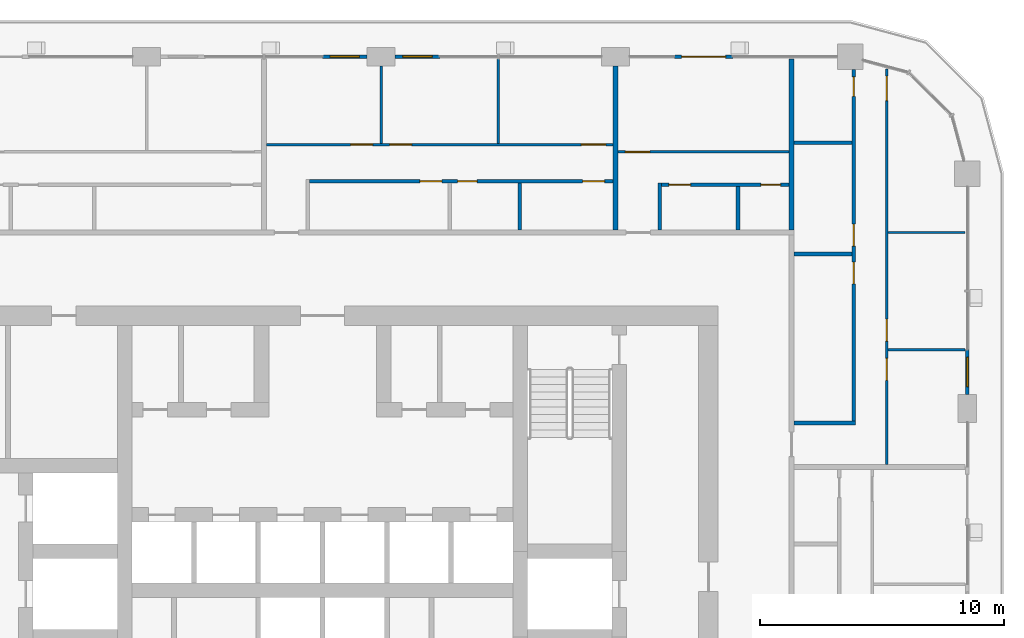
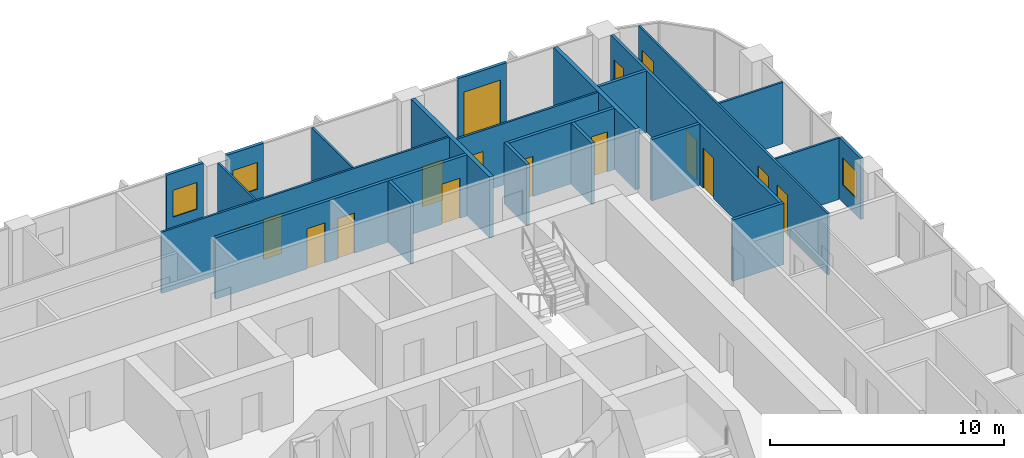
# One storey, part 15 of 22: 22 walls, 16 doors, 3 windows, 19 openings.
"""IFC4 building model written with IfcOpenShell, lengths in metres."""

from ifc_helpers import new_model, si_unit, direction, frame, frame_2d, origin, place, context, subcontext, project, spatial, rectangle, extrude, material, layer, layer_set, type_object, element, fill, save


model = new_model("IFC4")

# Units and contexts
model_context = context("Model", 3, precision=1e-05, world=origin(), true_north=direction((0.0, 1.0)))
body_context = subcontext(model_context, "Body", "Model", "MODEL_VIEW")
ifc_project = project(units=[si_unit("LENGTHUNIT", "METRE"), si_unit("AREAUNIT", "SQUARE_METRE"), si_unit("VOLUMEUNIT", "CUBIC_METRE"), si_unit("PLANEANGLEUNIT", "RADIAN"), si_unit("MASSUNIT", "GRAM", prefix="KILO")], contexts=[model_context])

# Site, building, storey
site_placement = place(None, origin())
site = spatial("IfcSite", under=ifc_project, at=site_placement, CompositionType="ELEMENT")
building_placement = place(site_placement, origin())
building = spatial("IfcBuilding", under=site, at=building_placement, Name="Madar Terraces", CompositionType="ELEMENT")
storey_placement = place(building_placement, frame((0.0, 0.0, 166.5)))
storey = spatial("IfcBuildingStorey", under=building, at=storey_placement, Name="L43", CompositionType="ELEMENT", Elevation=166.5)

# Wall, opening, window
ifc_material_1 = material(Name="Aluminium composite panel, black, over insulated backing", Category="aluminium")
ifc_layer_1 = layer(ifc_material_1, 0.14990234375)
ifc_layer_set_1 = layer_set([ifc_layer_1], Name="Facade bay panel 150")
wall_type_1 = type_object("IfcWallType", Name="Facade bay panel 150", PredefinedType="SOLIDWALL", material=ifc_layer_set_1)
wall_1_placement = place(storey_placement, frame((57.60009765625, 34.175048828125, 0.0), z_axis=(0.0, 0.0, 1.0), x_axis=(0.0, 1.0, 0.0)))
wall_1 = element("IfcWall", 1, at=wall_1_placement, inside=storey, type_object=wall_type_1, Name="Facade bay panel", PredefinedType="SOLIDWALL", context=body_context, shape_type="SweptSolid", body=[
    extrude(rectangle(XDim=1.824951171875, YDim=0.14990234375, at=frame_2d((0.91259765625, 0.0))), origin(), (0.0, 0.0, 1.0), 3.199951171875),
])
opening_1_placement = place(wall_1_placement, frame((0.3125, 0.0, 0.89990234375)))
opening_1 = element("IfcOpeningElement", 2, at=opening_1_placement, cuts=wall_1, Name="Opening W1", PredefinedType="OPENING", context=body_context, shape_type="SweptSolid", body=[
    extrude(rectangle(XDim=1.199951171875, YDim=1.39990234375, at=frame_2d((0.60009765625, 0.699951171875))), frame((0.0, 0.0849609375, 0.0), z_axis=(0.0, -1.0, 0.0), x_axis=(1.0, 0.0, 0.0)), (0.0, 0.0, 1.0), 0.169921875),
])
ifc_material_2 = material(Name="Glass, clear, with black aluminium frame", Category="aluminium")
window_type = type_object("IfcWindowType", Name="Vent window 1200 x 1400", PartitioningType="SINGLE_PANEL", PredefinedType="WINDOW", material=ifc_material_2)
window_1_placement = place(opening_1_placement, origin())
window_1 = element("IfcWindow", 3, at=window_1_placement, inside=storey, type_object=window_type, Name="Operable vent window", OverallHeight=1.39990234375, OverallWidth=1.199951171875, PartitioningType="SINGLE_PANEL", PredefinedType="WINDOW", context=body_context, shape_type="SweptSolid", body=[
    extrude(rectangle(XDim=1.199951171875, YDim=1.39990234375, at=frame_2d((0.60009765625, 0.699951171875))), frame((0.0, 0.030029296875, 0.0), z_axis=(0.0, -1.0, 0.0), x_axis=(1.0, 0.0, 0.0)), (0.0, 0.0, 1.0), 0.06005859375),
])
fill(opening_1, window_1)

# Wall, opening, door
wall_2_placement = place(storey_placement, frame((48.0, 48.0, 0.0), z_axis=(0.0, 0.0, 1.0), x_axis=(-1.0, 0.0, 0.0)))
wall_2 = element("IfcWall", 4, at=wall_2_placement, inside=storey, type_object=wall_type_1, Name="Facade bay panel", PredefinedType="SOLIDWALL", context=body_context, shape_type="SweptSolid", body=[
    extrude(rectangle(XDim=2.39990234375, YDim=0.14990234375, at=frame_2d((1.199951171875, 0.0))), origin(), (0.0, 0.0, 1.0), 3.199951171875),
])
opening_2_placement = place(wall_2_placement, frame((0.300048828125, 0.0, 0.0)))
opening_2 = element("IfcOpeningElement", 5, at=opening_2_placement, cuts=wall_2, Name="Opening ED1", PredefinedType="OPENING", context=body_context, shape_type="SweptSolid", body=[
    extrude(rectangle(XDim=1.800048828125, YDim=2.39990234375, at=frame_2d((0.89990234375, 1.199951171875))), frame((0.0, 0.0849609375, 0.0), z_axis=(0.0, -1.0, 0.0), x_axis=(1.0, 0.0, 0.0)), (0.0, 0.0, 1.0), 0.169921875),
])
ifc_material_3 = material(Name="Glass, clear, with black aluminium frame", Category="aluminium")
door_type_1 = type_object("IfcDoorType", Name="Balcony and terrace sliding door 1800 x 2400", OperationType="SLIDING_TO_LEFT", PredefinedType="DOOR", material=ifc_material_3)
door_1_placement = place(opening_2_placement, origin())
door_1 = element("IfcDoor", 6, at=door_1_placement, inside=storey, type_object=door_type_1, Name="Balcony door", OperationType="SLIDING_TO_LEFT", OverallHeight=2.39990234375, OverallWidth=1.800048828125, PredefinedType="DOOR", context=body_context, shape_type="SweptSolid", body=[
    extrude(rectangle(XDim=1.800048828125, YDim=2.39990234375, at=frame_2d((0.89990234375, 1.199951171875))), frame((0.0, 0.02490234375, 0.0), z_axis=(0.0, -1.0, 0.0), x_axis=(1.0, 0.0, 0.0)), (0.0, 0.0, 1.0), 0.050048828125),
])
fill(opening_2, door_1)

# Wall, opening, window
wall_3_placement = place(storey_placement, frame((36.0, 48.0, 0.0), z_axis=(0.0, 0.0, 1.0), x_axis=(-1.0, 0.0, 0.0)))
wall_3 = element("IfcWall", 7, at=wall_3_placement, inside=storey, type_object=wall_type_1, Name="Facade bay panel", PredefinedType="SOLIDWALL", context=body_context, shape_type="SweptSolid", body=[
    extrude(rectangle(XDim=1.824951171875, YDim=0.14990234375, at=frame_2d((0.91259765625, 0.0))), origin(), (0.0, 0.0, 1.0), 3.199951171875),
])
opening_3_placement = place(wall_3_placement, frame((0.3125, 0.0, 0.89990234375)))
opening_3 = element("IfcOpeningElement", 8, at=opening_3_placement, cuts=wall_3, Name="Opening W1", PredefinedType="OPENING", context=body_context, shape_type="SweptSolid", body=[
    extrude(rectangle(XDim=1.199951171875, YDim=1.39990234375, at=frame_2d((0.60009765625, 0.699951171875))), frame((0.0, 0.0849609375, 0.0), z_axis=(0.0, -1.0, 0.0), x_axis=(1.0, 0.0, 0.0)), (0.0, 0.0, 1.0), 0.169921875),
])
window_2_placement = place(opening_3_placement, origin())
window_2 = element("IfcWindow", 9, at=window_2_placement, inside=storey, type_object=window_type, Name="Operable vent window", OverallHeight=1.39990234375, OverallWidth=1.199951171875, PartitioningType="SINGLE_PANEL", PredefinedType="WINDOW", context=body_context, shape_type="SweptSolid", body=[
    extrude(rectangle(XDim=1.199951171875, YDim=1.39990234375, at=frame_2d((0.60009765625, 0.699951171875))), frame((0.0, 0.030029296875, 0.0), z_axis=(0.0, -1.0, 0.0), x_axis=(1.0, 0.0, 0.0)), (0.0, 0.0, 1.0), 0.06005859375),
])
fill(opening_3, window_2)

wall_4_placement = place(storey_placement, frame((33.02490234375, 48.0, 0.0), z_axis=(0.0, 0.0, 1.0), x_axis=(-1.0, 0.0, 0.0)))
wall_4 = element("IfcWall", 10, at=wall_4_placement, inside=storey, type_object=wall_type_1, Name="Facade bay panel", PredefinedType="SOLIDWALL", context=body_context, shape_type="SweptSolid", body=[
    extrude(rectangle(XDim=1.824951171875, YDim=0.14990234375, at=frame_2d((0.91259765625, 0.0))), origin(), (0.0, 0.0, 1.0), 3.199951171875),
])
opening_4_placement = place(wall_4_placement, frame((0.3125, 0.0, 0.89990234375)))
opening_4 = element("IfcOpeningElement", 11, at=opening_4_placement, cuts=wall_4, Name="Opening W1", PredefinedType="OPENING", context=body_context, shape_type="SweptSolid", body=[
    extrude(rectangle(XDim=1.199951171875, YDim=1.39990234375, at=frame_2d((0.60009765625, 0.699951171875))), frame((0.0, 0.0849609375, 0.0), z_axis=(0.0, -1.0, 0.0), x_axis=(1.0, 0.0, 0.0)), (0.0, 0.0, 1.0), 0.169921875),
])
window_3_placement = place(opening_4_placement, origin())
window_3 = element("IfcWindow", 12, at=window_3_placement, inside=storey, type_object=window_type, Name="Operable vent window", OverallHeight=1.39990234375, OverallWidth=1.199951171875, PartitioningType="SINGLE_PANEL", PredefinedType="WINDOW", context=body_context, shape_type="SweptSolid", body=[
    extrude(rectangle(XDim=1.199951171875, YDim=1.39990234375, at=frame_2d((0.60009765625, 0.699951171875))), frame((0.0, 0.030029296875, 0.0), z_axis=(0.0, -1.0, 0.0), x_axis=(1.0, 0.0, 0.0)), (0.0, 0.0, 1.0), 0.06005859375),
])
fill(opening_4, window_3)

# Walls
ifc_material_4 = material(Name="Gypsum board on steel studs", Category="steel")
ifc_layer_2 = layer(ifc_material_4, 0.10009765625)
ifc_layer_set_2 = layer_set([ifc_layer_2], Name="Flat partition 100")
wall_type_2 = type_object("IfcWallType", Name="Flat partition 100", PredefinedType="PARTITIONING", material=ifc_layer_set_2)
for number, where, z_axis, x_axis, name in (
    (13, (54.35009765625, 36.0, 0.0), (0.0, 0.0, 1.0), (1.0, 0.0, 0.0), "Flat partition 100"),
    (14, (54.35009765625, 40.800048828125, 0.0), (0.0, 0.0, 1.0), (1.0, 0.0, 0.0), "Flat partition 100"),
):
    element("IfcWall", number, at=place(storey_placement, frame(where, z_axis=z_axis, x_axis=x_axis)), inside=storey, type_object=wall_type_2, Name=name, PredefinedType="PARTITIONING", context=body_context, shape_type="SweptSolid", body=[
        extrude(rectangle(XDim=3.14990234375, YDim=0.10009765625, at=frame_2d((1.574951171875, 0.0))), origin(), (0.0, 0.0, 1.0), 3.199951171875),
    ])

# Wall, openings, doors
wall_5_placement = place(storey_placement, frame((54.300048828125, 47.498046875, 0.0), z_axis=(0.0, 0.0, 1.0), x_axis=(0.0, -1.0, 0.0)))
wall_5 = element("IfcWall", 15, at=wall_5_placement, inside=storey, type_object=wall_type_2, Name="Flat partition 100", PredefinedType="PARTITIONING", context=body_context, shape_type="SweptSolid", body=[
    extrude(rectangle(XDim=16.197998046875, YDim=0.10009765625, at=frame_2d((8.09912109375, 0.0))), origin(), (0.0, 0.0, 1.0), 3.199951171875),
])
opening_5_placement = place(wall_5_placement, frame((11.84814453125, 0.0, 0.0)))
opening_5 = element("IfcOpeningElement", 16, at=opening_5_placement, cuts=wall_5, Name="Opening D2", PredefinedType="OPENING", context=body_context, shape_type="SweptSolid", body=[
    extrude(rectangle(XDim=0.89990234375, YDim=2.10009765625, at=frame_2d((0.449951171875, 1.050048828125))), frame((0.0, 0.06005859375, 0.0), z_axis=(0.0, -1.0, 0.0), x_axis=(1.0, 0.0, 0.0)), (0.0, 0.0, 1.0), 0.1201171875),
])
opening_6_placement = place(wall_5_placement, frame((10.248046875, 0.0, 0.0)))
opening_6 = element("IfcOpeningElement", 17, at=opening_6_placement, cuts=wall_5, Name="Opening D2", PredefinedType="OPENING", context=body_context, shape_type="SweptSolid", body=[
    extrude(rectangle(XDim=0.89990234375, YDim=2.10009765625, at=frame_2d((0.449951171875, 1.050048828125))), frame((0.0, 0.06005859375, 0.0), z_axis=(0.0, -1.0, 0.0), x_axis=(1.0, 0.0, 0.0)), (0.0, 0.0, 1.0), 0.1201171875),
])
opening_7_placement = place(wall_5_placement, frame((0.300048828125, 0.0, 0.0)))
opening_7 = element("IfcOpeningElement", 18, at=opening_7_placement, cuts=wall_5, Name="Opening D3", PredefinedType="OPENING", context=body_context, shape_type="SweptSolid", body=[
    extrude(rectangle(XDim=1.0, YDim=2.10009765625, at=frame_2d((0.5, 1.050048828125))), frame((0.0, 0.06005859375, 0.0), z_axis=(0.0, -1.0, 0.0), x_axis=(1.0, 0.0, 0.0)), (0.0, 0.0, 1.0), 0.1201171875),
])
ifc_material_5 = material(Name="Timber door leaf", Category="wood")
door_type_2 = type_object("IfcDoorType", Name="Flat living room door 1000", OperationType="NOTDEFINED", PredefinedType="DOOR", material=ifc_material_5)
door_2_placement = place(opening_7_placement, origin())
door_2 = element("IfcDoor", 19, at=door_2_placement, inside=storey, type_object=door_type_2, Name="Flat living room door 1000", OperationType="SINGLE_SWING_LEFT", OverallHeight=2.10009765625, OverallWidth=1.0, PredefinedType="DOOR", context=body_context, shape_type="SweptSolid", body=[
    extrude(rectangle(XDim=1.0, YDim=2.10009765625, at=frame_2d((0.5, 1.050048828125))), frame((0.0, 0.02490234375, 0.0), z_axis=(0.0, -1.0, 0.0), x_axis=(1.0, 0.0, 0.0)), (0.0, 0.0, 1.0), 0.050048828125),
])
fill(opening_7, door_2)
ifc_material_6 = material(Name="Timber door leaf", Category="wood")
door_type_3 = type_object("IfcDoorType", Name="Flat room door 900", OperationType="NOTDEFINED", PredefinedType="DOOR", material=ifc_material_6)
door_3_placement = place(opening_5_placement, origin())
door_3 = element("IfcDoor", 20, at=door_3_placement, inside=storey, type_object=door_type_3, Name="Flat room door 900", OperationType="SINGLE_SWING_LEFT", OverallHeight=2.10009765625, OverallWidth=0.89990234375, PredefinedType="DOOR", context=body_context, shape_type="SweptSolid", body=[
    extrude(rectangle(XDim=0.89990234375, YDim=2.10009765625, at=frame_2d((0.449951171875, 1.050048828125))), frame((0.0, 0.02490234375, 0.0), z_axis=(0.0, -1.0, 0.0), x_axis=(1.0, 0.0, 0.0)), (0.0, 0.0, 1.0), 0.050048828125),
])
fill(opening_5, door_3)
door_4_placement = place(opening_6_placement, origin())
door_4 = element("IfcDoor", 21, at=door_4_placement, inside=storey, type_object=door_type_3, Name="Flat room door 900", OperationType="SINGLE_SWING_RIGHT", OverallHeight=2.10009765625, OverallWidth=0.89990234375, PredefinedType="DOOR", context=body_context, shape_type="SweptSolid", body=[
    extrude(rectangle(XDim=0.89990234375, YDim=2.10009765625, at=frame_2d((0.449951171875, 1.050048828125))), frame((0.0, 0.02490234375, 0.0), z_axis=(0.0, -1.0, 0.0), x_axis=(1.0, 0.0, 0.0)), (0.0, 0.0, 1.0), 0.050048828125),
])
fill(opening_6, door_4)

# Wall, opening, door
wall_6_placement = place(storey_placement, frame((43.300048828125, 44.10009765625, 0.0), z_axis=(0.0, 0.0, 1.0), x_axis=(1.0, 0.0, 0.0)))
wall_6 = element("IfcWall", 22, at=wall_6_placement, inside=storey, type_object=wall_type_2, Name="Flat partition 100", PredefinedType="PARTITIONING", context=body_context, shape_type="SweptSolid", body=[
    extrude(rectangle(XDim=7.0, YDim=0.10009765625, at=frame_2d((3.5, 0.0))), origin(), (0.0, 0.0, 1.0), 3.199951171875),
])
opening_8_placement = place(wall_6_placement, frame((0.300048828125, 0.0, 0.0)))
opening_8 = element("IfcOpeningElement", 23, at=opening_8_placement, cuts=wall_6, Name="Opening D3", PredefinedType="OPENING", context=body_context, shape_type="SweptSolid", body=[
    extrude(rectangle(XDim=1.0, YDim=2.10009765625, at=frame_2d((0.5, 1.050048828125))), frame((0.0, 0.06005859375, 0.0), z_axis=(0.0, -1.0, 0.0), x_axis=(1.0, 0.0, 0.0)), (0.0, 0.0, 1.0), 0.1201171875),
])
door_5_placement = place(opening_8_placement, origin())
door_5 = element("IfcDoor", 24, at=door_5_placement, inside=storey, type_object=door_type_2, Name="Flat living room door 1000", OperationType="SINGLE_SWING_LEFT", OverallHeight=2.10009765625, OverallWidth=1.0, PredefinedType="DOOR", context=body_context, shape_type="SweptSolid", body=[
    extrude(rectangle(XDim=1.0, YDim=2.10009765625, at=frame_2d((0.5, 1.050048828125))), frame((0.0, 0.02490234375, 0.0), z_axis=(0.0, -1.0, 0.0), x_axis=(1.0, 0.0, 0.0)), (0.0, 0.0, 1.0), 0.050048828125),
])
fill(opening_8, door_5)

# Walls
wall_7_placement = place(storey_placement, frame((33.60009765625, 44.449951171875, 0.0), z_axis=(0.0, 0.0, 1.0), x_axis=(0.0, 1.0, 0.0)))
element("IfcWall", 25, at=wall_7_placement, inside=storey, type_object=wall_type_2, Name="Flat partition 100", PredefinedType="PARTITIONING", context=body_context, shape_type="SweptSolid", body=[
    extrude(rectangle(XDim=3.175048828125, YDim=0.10009765625, at=frame_2d((1.58740234375, 0.0))), origin(), (0.0, 0.0, 1.0), 3.199951171875),
])
wall_8_placement = place(storey_placement, frame((38.39990234375, 44.449951171875, 0.0), z_axis=(0.0, 0.0, 1.0), x_axis=(0.0, 1.0, 0.0)))
element("IfcWall", 26, at=wall_8_placement, inside=storey, type_object=wall_type_2, Name="Flat partition 100", PredefinedType="PARTITIONING", context=body_context, shape_type="SweptSolid", body=[
    extrude(rectangle(XDim=3.449951171875, YDim=0.10009765625, at=frame_2d((1.72509765625, 0.0))), origin(), (0.0, 0.0, 1.0), 3.199951171875),
])

# Wall, openings, doors
wall_9_placement = place(storey_placement, frame((28.89990234375, 44.39990234375, 0.0), z_axis=(0.0, 0.0, 1.0), x_axis=(1.0, 0.0, 0.0)))
wall_9 = element("IfcWall", 27, at=wall_9_placement, inside=storey, type_object=wall_type_2, Name="Flat partition 100", PredefinedType="PARTITIONING", context=body_context, shape_type="SweptSolid", body=[
    extrude(rectangle(XDim=14.2001953125, YDim=0.10009765625, at=frame_2d((7.10009765625, 0.0))), origin(), (0.0, 0.0, 1.0), 3.199951171875),
])
opening_9_placement = place(wall_9_placement, frame((3.449951171875, 0.0, 0.0)))
opening_9 = element("IfcOpeningElement", 28, at=opening_9_placement, cuts=wall_9, Name="Opening D2", PredefinedType="OPENING", context=body_context, shape_type="SweptSolid", body=[
    extrude(rectangle(XDim=0.89990234375, YDim=2.10009765625, at=frame_2d((0.449951171875, 1.050048828125))), frame((0.0, 0.06005859375, 0.0), z_axis=(0.0, -1.0, 0.0), x_axis=(1.0, 0.0, 0.0)), (0.0, 0.0, 1.0), 0.1201171875),
])
opening_10_placement = place(wall_9_placement, frame((5.050048828125, 0.0, 0.0)))
opening_10 = element("IfcOpeningElement", 29, at=opening_10_placement, cuts=wall_9, Name="Opening D2", PredefinedType="OPENING", context=body_context, shape_type="SweptSolid", body=[
    extrude(rectangle(XDim=0.89990234375, YDim=2.10009765625, at=frame_2d((0.449951171875, 1.050048828125))), frame((0.0, 0.06005859375, 0.0), z_axis=(0.0, -1.0, 0.0), x_axis=(1.0, 0.0, 0.0)), (0.0, 0.0, 1.0), 0.1201171875),
])
opening_11_placement = place(wall_9_placement, frame((12.89990234375, 0.0, 0.0)))
opening_11 = element("IfcOpeningElement", 30, at=opening_11_placement, cuts=wall_9, Name="Opening D3", PredefinedType="OPENING", context=body_context, shape_type="SweptSolid", body=[
    extrude(rectangle(XDim=1.0, YDim=2.10009765625, at=frame_2d((0.5, 1.050048828125))), frame((0.0, 0.06005859375, 0.0), z_axis=(0.0, -1.0, 0.0), x_axis=(1.0, 0.0, 0.0)), (0.0, 0.0, 1.0), 0.1201171875),
])
door_6_placement = place(opening_11_placement, origin())
door_6 = element("IfcDoor", 31, at=door_6_placement, inside=storey, type_object=door_type_2, Name="Flat living room door 1000", OperationType="SINGLE_SWING_RIGHT", OverallHeight=2.10009765625, OverallWidth=1.0, PredefinedType="DOOR", context=body_context, shape_type="SweptSolid", body=[
    extrude(rectangle(XDim=1.0, YDim=2.10009765625, at=frame_2d((0.5, 1.050048828125))), frame((0.0, 0.02490234375, 0.0), z_axis=(0.0, -1.0, 0.0), x_axis=(1.0, 0.0, 0.0)), (0.0, 0.0, 1.0), 0.050048828125),
])
fill(opening_11, door_6)
door_7_placement = place(opening_9_placement, origin())
door_7 = element("IfcDoor", 32, at=door_7_placement, inside=storey, type_object=door_type_3, Name="Flat room door 900", OperationType="SINGLE_SWING_RIGHT", OverallHeight=2.10009765625, OverallWidth=0.89990234375, PredefinedType="DOOR", context=body_context, shape_type="SweptSolid", body=[
    extrude(rectangle(XDim=0.89990234375, YDim=2.10009765625, at=frame_2d((0.449951171875, 1.050048828125))), frame((0.0, 0.02490234375, 0.0), z_axis=(0.0, -1.0, 0.0), x_axis=(1.0, 0.0, 0.0)), (0.0, 0.0, 1.0), 0.050048828125),
])
fill(opening_9, door_7)
door_8_placement = place(opening_10_placement, origin())
door_8 = element("IfcDoor", 33, at=door_8_placement, inside=storey, type_object=door_type_3, Name="Flat room door 900", OperationType="SINGLE_SWING_LEFT", OverallHeight=2.10009765625, OverallWidth=0.89990234375, PredefinedType="DOOR", context=body_context, shape_type="SweptSolid", body=[
    extrude(rectangle(XDim=0.89990234375, YDim=2.10009765625, at=frame_2d((0.449951171875, 1.050048828125))), frame((0.0, 0.02490234375, 0.0), z_axis=(0.0, -1.0, 0.0), x_axis=(1.0, 0.0, 0.0)), (0.0, 0.0, 1.0), 0.050048828125),
])
fill(opening_10, door_8)

# Walls
ifc_material_7 = material(Name="Lightweight blockwork", Category="masonry")
ifc_layer_3 = layer(ifc_material_7, 0.199951171875)
ifc_layer_set_3 = layer_set([ifc_layer_3], Name="Flat party and entrance wall 200")
wall_type_3 = type_object("IfcWallType", Name="Flat party and entrance wall 200", PredefinedType="PARTITIONING", material=ifc_layer_set_3)
wall_10_placement = place(storey_placement, frame((50.39990234375, 40.89990234375, 0.0), z_axis=(0.0, 0.0, 1.0), x_axis=(0.0, 1.0, 0.0)))
element("IfcWall", 34, at=wall_10_placement, inside=storey, type_object=wall_type_3, Name="Flat party and entrance wall 200", PredefinedType="PARTITIONING", context=body_context, shape_type="SweptSolid", body=[
    extrude(rectangle(XDim=7.0, YDim=0.199951171875, at=frame_2d((3.5, 0.0))), origin(), (0.0, 0.0, 1.0), 3.199951171875),
])
wall_11_placement = place(storey_placement, frame((43.199951171875, 47.625, 0.0), z_axis=(0.0, 0.0, 1.0), x_axis=(0.0, -1.0, 0.0)))
element("IfcWall", 35, at=wall_11_placement, inside=storey, type_object=wall_type_3, Name="Flat party and entrance wall 200", PredefinedType="PARTITIONING", context=body_context, shape_type="SweptSolid", body=[
    extrude(rectangle(XDim=6.72509765625, YDim=0.199951171875, at=frame_2d((3.362548828125, 0.0))), origin(), (0.0, 0.0, 1.0), 3.199951171875),
])
ifc_material_8 = material(Name="Lightweight blockwork", Category="masonry")
ifc_layer_4 = layer(ifc_material_8, 0.14990234375)
ifc_layer_set_4 = layer_set([ifc_layer_4], Name="Flat wet-room partition 150")
wall_type_4 = type_object("IfcWallType", Name="Flat wet-room partition 150", PredefinedType="PARTITIONING", material=ifc_layer_set_4)
for number, where, z_axis, x_axis, name in (
    (36, (50.5, 39.917236328125, 0.0), (0.0, 0.0, 1.0), (1.0, 0.0, 0.0), "Flat wet-room partition 150"),
    (37, (50.5, 44.478759765625, 0.0), (0.0, 0.0, 1.0), (1.0, 0.0, 0.0), "Flat wet-room partition 150"),
):
    element("IfcWall", number, at=place(storey_placement, frame(where, z_axis=z_axis, x_axis=x_axis)), inside=storey, type_object=wall_type_4, Name=name, PredefinedType="PARTITIONING", context=body_context, shape_type="SweptSolid", body=[
        extrude(rectangle(XDim=2.375, YDim=0.14990234375, at=frame_2d((1.1875, 0.0))), origin(), (0.0, 0.0, 1.0), 3.199951171875),
    ])
wall_12_placement = place(storey_placement, frame((50.5, 33.0, 0.0), z_axis=(0.0, 0.0, 1.0), x_axis=(1.0, 0.0, 0.0)))
element("IfcWall", 38, at=wall_12_placement, inside=storey, type_object=wall_type_4, Name="Flat wet-room partition 150", PredefinedType="PARTITIONING", context=body_context, shape_type="SweptSolid", body=[
    extrude(rectangle(XDim=2.52490234375, YDim=0.14990234375, at=frame_2d((1.262451171875, 0.0))), origin(), (0.0, 0.0, 1.0), 3.199951171875),
])

# Wall, openings, doors
wall_13_placement = place(storey_placement, frame((52.949951171875, 33.074951171875, 0.0), z_axis=(0.0, 0.0, 1.0), x_axis=(0.0, 1.0, 0.0)))
wall_13 = element("IfcWall", 39, at=wall_13_placement, inside=storey, type_object=wall_type_4, Name="Flat wet-room partition 150", PredefinedType="PARTITIONING", context=body_context, shape_type="SweptSolid", body=[
    extrude(rectangle(XDim=14.400146484375, YDim=0.14990234375, at=frame_2d((7.2001953125, 0.0))), origin(), (0.0, 0.0, 1.0), 3.199951171875),
])
opening_12_placement = place(wall_13_placement, frame((5.6171875, 0.0, 0.0)))
opening_12 = element("IfcOpeningElement", 40, at=opening_12_placement, cuts=wall_13, Name="Opening D2", PredefinedType="OPENING", context=body_context, shape_type="SweptSolid", body=[
    extrude(rectangle(XDim=0.89990234375, YDim=2.10009765625, at=frame_2d((0.449951171875, 1.050048828125))), frame((0.0, 0.0849609375, 0.0), z_axis=(0.0, -1.0, 0.0), x_axis=(1.0, 0.0, 0.0)), (0.0, 0.0, 1.0), 0.169921875),
])
opening_13_placement = place(wall_13_placement, frame((7.167236328125, 0.0, 0.0)))
opening_13 = element("IfcOpeningElement", 41, at=opening_13_placement, cuts=wall_13, Name="Opening D5", PredefinedType="OPENING", context=body_context, shape_type="SweptSolid", body=[
    extrude(rectangle(XDim=0.89990234375, YDim=2.10009765625, at=frame_2d((0.449951171875, 1.050048828125))), frame((0.0, 0.0849609375, 0.0), z_axis=(0.0, -1.0, 0.0), x_axis=(1.0, 0.0, 0.0)), (0.0, 0.0, 1.0), 0.169921875),
])
opening_14_placement = place(wall_13_placement, frame((13.300048828125, 0.0, 0.0)))
opening_14 = element("IfcOpeningElement", 42, at=opening_14_placement, cuts=wall_13, Name="Opening D4", PredefinedType="OPENING", context=body_context, shape_type="SweptSolid", body=[
    extrude(rectangle(XDim=0.800048828125, YDim=2.10009765625, at=frame_2d((0.39990234375, 1.050048828125))), frame((0.0, 0.0849609375, 0.0), z_axis=(0.0, -1.0, 0.0), x_axis=(1.0, 0.0, 0.0)), (0.0, 0.0, 1.0), 0.169921875),
])
ifc_material_9 = material(Name="Timber door leaf", Category="wood")
door_type_4 = type_object("IfcDoorType", Name="Flat accessible bathroom door 900", OperationType="NOTDEFINED", PredefinedType="DOOR", material=ifc_material_9)
door_9_placement = place(opening_13_placement, origin())
door_9 = element("IfcDoor", 43, at=door_9_placement, inside=storey, type_object=door_type_4, Name="Flat accessible bathroom door 900", OperationType="SINGLE_SWING_LEFT", OverallHeight=2.10009765625, OverallWidth=0.89990234375, PredefinedType="DOOR", context=body_context, shape_type="SweptSolid", body=[
    extrude(rectangle(XDim=0.89990234375, YDim=2.10009765625, at=frame_2d((0.449951171875, 1.050048828125))), frame((0.0, 0.02490234375, 0.0), z_axis=(0.0, -1.0, 0.0), x_axis=(1.0, 0.0, 0.0)), (0.0, 0.0, 1.0), 0.050048828125),
])
fill(opening_13, door_9)
ifc_material_10 = material(Name="Timber door leaf", Category="wood")
door_type_5 = type_object("IfcDoorType", Name="Flat bathroom door 800", OperationType="NOTDEFINED", PredefinedType="DOOR", material=ifc_material_10)
door_10_placement = place(opening_14_placement, origin())
door_10 = element("IfcDoor", 44, at=door_10_placement, inside=storey, type_object=door_type_5, Name="Flat bathroom door 800", OperationType="SINGLE_SWING_RIGHT", OverallHeight=2.10009765625, OverallWidth=0.800048828125, PredefinedType="DOOR", context=body_context, shape_type="SweptSolid", body=[
    extrude(rectangle(XDim=0.800048828125, YDim=2.10009765625, at=frame_2d((0.39990234375, 1.050048828125))), frame((0.0, 0.02490234375, 0.0), z_axis=(0.0, -1.0, 0.0), x_axis=(1.0, 0.0, 0.0)), (0.0, 0.0, 1.0), 0.050048828125),
])
fill(opening_14, door_10)
door_11_placement = place(opening_12_placement, origin())
door_11 = element("IfcDoor", 45, at=door_11_placement, inside=storey, type_object=door_type_3, Name="Flat room door 900", OperationType="SINGLE_SWING_RIGHT", OverallHeight=2.10009765625, OverallWidth=0.89990234375, PredefinedType="DOOR", context=body_context, shape_type="SweptSolid", body=[
    extrude(rectangle(XDim=0.89990234375, YDim=2.10009765625, at=frame_2d((0.449951171875, 1.050048828125))), frame((0.0, 0.02490234375, 0.0), z_axis=(0.0, -1.0, 0.0), x_axis=(1.0, 0.0, 0.0)), (0.0, 0.0, 1.0), 0.050048828125),
])
fill(opening_12, door_11)

# Walls
wall_14_placement = place(storey_placement, frame((48.2099609375, 40.89990234375, 0.0), z_axis=(0.0, 0.0, 1.0), x_axis=(0.0, 1.0, 0.0)))
element("IfcWall", 46, at=wall_14_placement, inside=storey, type_object=wall_type_4, Name="Flat wet-room partition 150", PredefinedType="PARTITIONING", context=body_context, shape_type="SweptSolid", body=[
    extrude(rectangle(XDim=1.775146484375, YDim=0.14990234375, at=frame_2d((0.8876953125, 0.0))), origin(), (0.0, 0.0, 1.0), 3.199951171875),
])
wall_15_placement = place(storey_placement, frame((45.0, 40.89990234375, 0.0), z_axis=(0.0, 0.0, 1.0), x_axis=(0.0, 1.0, 0.0)))
element("IfcWall", 47, at=wall_15_placement, inside=storey, type_object=wall_type_4, Name="Flat wet-room partition 150", PredefinedType="PARTITIONING", context=body_context, shape_type="SweptSolid", body=[
    extrude(rectangle(XDim=1.925048828125, YDim=0.14990234375, at=frame_2d((0.96240234375, 0.0))), origin(), (0.0, 0.0, 1.0), 3.199951171875),
])

# Wall, openings, doors
wall_16_placement = place(storey_placement, frame((50.300048828125, 42.75, 0.0), z_axis=(0.0, 0.0, 1.0), x_axis=(-1.0, 0.0, 0.0)))
wall_16 = element("IfcWall", 48, at=wall_16_placement, inside=storey, type_object=wall_type_4, Name="Flat wet-room partition 150", PredefinedType="PARTITIONING", context=body_context, shape_type="SweptSolid", body=[
    extrude(rectangle(XDim=5.22509765625, YDim=0.14990234375, at=frame_2d((2.612548828125, 0.0))), origin(), (0.0, 0.0, 1.0), 3.199951171875),
])
opening_15_placement = place(wall_16_placement, frame((4.02490234375, 0.0, 0.0)))
opening_15 = element("IfcOpeningElement", 49, at=opening_15_placement, cuts=wall_16, Name="Opening D2", PredefinedType="OPENING", context=body_context, shape_type="SweptSolid", body=[
    extrude(rectangle(XDim=0.89990234375, YDim=2.10009765625, at=frame_2d((0.449951171875, 1.050048828125))), frame((0.0, 0.0849609375, 0.0), z_axis=(0.0, -1.0, 0.0), x_axis=(1.0, 0.0, 0.0)), (0.0, 0.0, 1.0), 0.169921875),
])
opening_16_placement = place(wall_16_placement, frame((0.35009765625, 0.0, 0.0)))
opening_16 = element("IfcOpeningElement", 50, at=opening_16_placement, cuts=wall_16, Name="Opening D4", PredefinedType="OPENING", context=body_context, shape_type="SweptSolid", body=[
    extrude(rectangle(XDim=0.800048828125, YDim=2.10009765625, at=frame_2d((0.39990234375, 1.050048828125))), frame((0.0, 0.0849609375, 0.0), z_axis=(0.0, -1.0, 0.0), x_axis=(1.0, 0.0, 0.0)), (0.0, 0.0, 1.0), 0.169921875),
])
door_12_placement = place(opening_16_placement, origin())
door_12 = element("IfcDoor", 51, at=door_12_placement, inside=storey, type_object=door_type_5, Name="Flat bathroom door 800", OperationType="SINGLE_SWING_LEFT", OverallHeight=2.10009765625, OverallWidth=0.800048828125, PredefinedType="DOOR", context=body_context, shape_type="SweptSolid", body=[
    extrude(rectangle(XDim=0.800048828125, YDim=2.10009765625, at=frame_2d((0.39990234375, 1.050048828125))), frame((0.0, 0.02490234375, 0.0), z_axis=(0.0, -1.0, 0.0), x_axis=(1.0, 0.0, 0.0)), (0.0, 0.0, 1.0), 0.050048828125),
])
fill(opening_16, door_12)
door_13_placement = place(opening_15_placement, origin())
door_13 = element("IfcDoor", 52, at=door_13_placement, inside=storey, type_object=door_type_3, Name="Flat room door 900", OperationType="SINGLE_SWING_RIGHT", OverallHeight=2.10009765625, OverallWidth=0.89990234375, PredefinedType="DOOR", context=body_context, shape_type="SweptSolid", body=[
    extrude(rectangle(XDim=0.89990234375, YDim=2.10009765625, at=frame_2d((0.449951171875, 1.050048828125))), frame((0.0, 0.02490234375, 0.0), z_axis=(0.0, -1.0, 0.0), x_axis=(1.0, 0.0, 0.0)), (0.0, 0.0, 1.0), 0.050048828125),
])
fill(opening_15, door_13)

# Wall
wall_17_placement = place(storey_placement, frame((39.27685546875, 40.89990234375, 0.0), z_axis=(0.0, 0.0, 1.0), x_axis=(0.0, 1.0, 0.0)))
element("IfcWall", 53, at=wall_17_placement, inside=storey, type_object=wall_type_4, Name="Flat wet-room partition 150", PredefinedType="PARTITIONING", context=body_context, shape_type="SweptSolid", body=[
    extrude(rectangle(XDim=1.925048828125, YDim=0.14990234375, at=frame_2d((0.96240234375, 0.0))), origin(), (0.0, 0.0, 1.0), 3.199951171875),
])

# Wall, openings, doors
wall_18_placement = place(storey_placement, frame((43.10009765625, 42.89990234375, 0.0), z_axis=(0.0, 0.0, 1.0), x_axis=(-1.0, 0.0, 0.0)))
wall_18 = element("IfcWall", 54, at=wall_18_placement, inside=storey, type_object=wall_type_4, Name="Flat wet-room partition 150", PredefinedType="PARTITIONING", context=body_context, shape_type="SweptSolid", body=[
    extrude(rectangle(XDim=12.425048828125, YDim=0.14990234375, at=frame_2d((6.21240234375, 0.0))), origin(), (0.0, 0.0, 1.0), 3.199951171875),
])
opening_17_placement = place(wall_18_placement, frame((7.015380859375, 0.0, 0.0)))
opening_17 = element("IfcOpeningElement", 55, at=opening_17_placement, cuts=wall_18, Name="Opening D2", PredefinedType="OPENING", context=body_context, shape_type="SweptSolid", body=[
    extrude(rectangle(XDim=0.89990234375, YDim=2.10009765625, at=frame_2d((0.449951171875, 1.050048828125))), frame((0.0, 0.0849609375, 0.0), z_axis=(0.0, -1.0, 0.0), x_axis=(1.0, 0.0, 0.0)), (0.0, 0.0, 1.0), 0.169921875),
])
opening_18_placement = place(wall_18_placement, frame((5.5654296875, 0.0, 0.0)))
opening_18 = element("IfcOpeningElement", 56, at=opening_18_placement, cuts=wall_18, Name="Opening D4", PredefinedType="OPENING", context=body_context, shape_type="SweptSolid", body=[
    extrude(rectangle(XDim=0.800048828125, YDim=2.10009765625, at=frame_2d((0.39990234375, 1.050048828125))), frame((0.0, 0.0849609375, 0.0), z_axis=(0.0, -1.0, 0.0), x_axis=(1.0, 0.0, 0.0)), (0.0, 0.0, 1.0), 0.169921875),
])
opening_19_placement = place(wall_18_placement, frame((0.35009765625, 0.0, 0.0)))
opening_19 = element("IfcOpeningElement", 57, at=opening_19_placement, cuts=wall_18, Name="Opening D5", PredefinedType="OPENING", context=body_context, shape_type="SweptSolid", body=[
    extrude(rectangle(XDim=0.89990234375, YDim=2.10009765625, at=frame_2d((0.449951171875, 1.050048828125))), frame((0.0, 0.0849609375, 0.0), z_axis=(0.0, -1.0, 0.0), x_axis=(1.0, 0.0, 0.0)), (0.0, 0.0, 1.0), 0.169921875),
])
door_14_placement = place(opening_19_placement, origin())
door_14 = element("IfcDoor", 58, at=door_14_placement, inside=storey, type_object=door_type_4, Name="Flat accessible bathroom door 900", OperationType="SINGLE_SWING_LEFT", OverallHeight=2.10009765625, OverallWidth=0.89990234375, PredefinedType="DOOR", context=body_context, shape_type="SweptSolid", body=[
    extrude(rectangle(XDim=0.89990234375, YDim=2.10009765625, at=frame_2d((0.449951171875, 1.050048828125))), frame((0.0, 0.02490234375, 0.0), z_axis=(0.0, -1.0, 0.0), x_axis=(1.0, 0.0, 0.0)), (0.0, 0.0, 1.0), 0.050048828125),
])
fill(opening_19, door_14)
door_15_placement = place(opening_18_placement, origin())
door_15 = element("IfcDoor", 59, at=door_15_placement, inside=storey, type_object=door_type_5, Name="Flat bathroom door 800", OperationType="SINGLE_SWING_RIGHT", OverallHeight=2.10009765625, OverallWidth=0.800048828125, PredefinedType="DOOR", context=body_context, shape_type="SweptSolid", body=[
    extrude(rectangle(XDim=0.800048828125, YDim=2.10009765625, at=frame_2d((0.39990234375, 1.050048828125))), frame((0.0, 0.02490234375, 0.0), z_axis=(0.0, -1.0, 0.0), x_axis=(1.0, 0.0, 0.0)), (0.0, 0.0, 1.0), 0.050048828125),
])
fill(opening_18, door_15)
door_16_placement = place(opening_17_placement, origin())
door_16 = element("IfcDoor", 60, at=door_16_placement, inside=storey, type_object=door_type_3, Name="Flat room door 900", OperationType="SINGLE_SWING_LEFT", OverallHeight=2.10009765625, OverallWidth=0.89990234375, PredefinedType="DOOR", context=body_context, shape_type="SweptSolid", body=[
    extrude(rectangle(XDim=0.89990234375, YDim=2.10009765625, at=frame_2d((0.449951171875, 1.050048828125))), frame((0.0, 0.02490234375, 0.0), z_axis=(0.0, -1.0, 0.0), x_axis=(1.0, 0.0, 0.0)), (0.0, 0.0, 1.0), 0.050048828125),
])
fill(opening_17, door_16)

save(model, "model.ifc")
